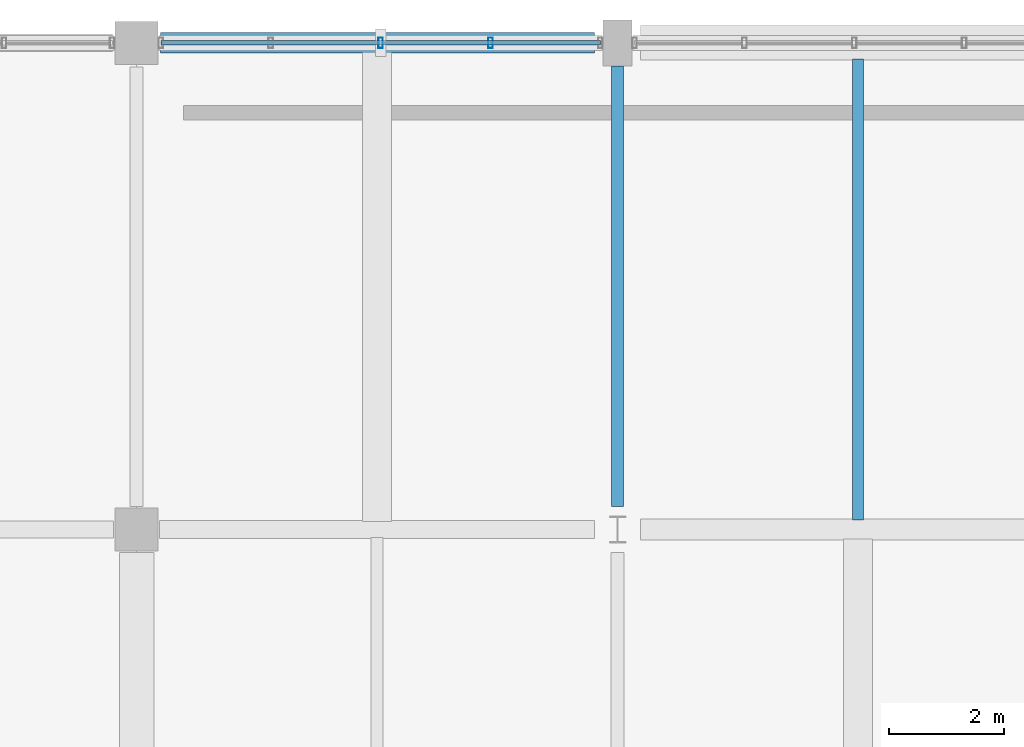
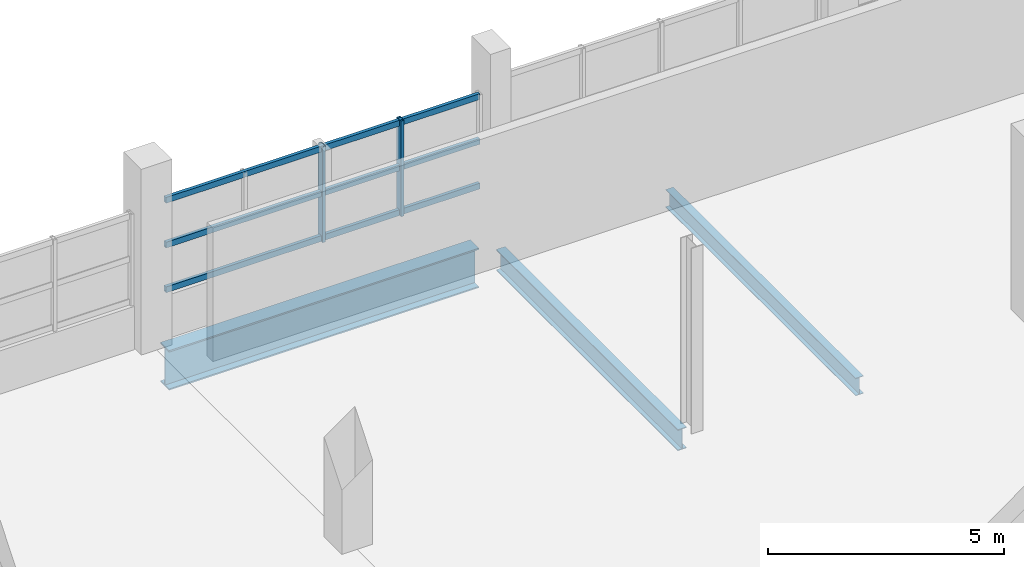
# One storey, part 77 of 117: 5 members, 3 beams, 1 element without a shape of its own.
"""IFC4 building model written with IfcOpenShell, lengths in metres."""

from ifc_helpers import new_model, si_unit, direction, frame, origin, origin_2d, place, context, subcontext, project, spatial, hollow_rectangle, i_section, extrude, material, material_profile, profile_set, type_object, element, aggregate, save


model = new_model("IFC4")

# Units and contexts
model_context = context("Model", 3, precision=1e-05, world=origin(), true_north=direction((0.0, 1.0)))
body_context = subcontext(model_context, "Body", "Model", "MODEL_VIEW")
ifc_project = project(units=[si_unit("LENGTHUNIT", "METRE"), si_unit("AREAUNIT", "SQUARE_METRE"), si_unit("VOLUMEUNIT", "CUBIC_METRE"), si_unit("PLANEANGLEUNIT", "RADIAN"), si_unit("MASSUNIT", "GRAM", prefix="KILO")], contexts=[model_context])

# Site, building, storey
site_placement = place(None, origin())
site = spatial("IfcSite", under=ifc_project, at=site_placement, CompositionType="ELEMENT")
building_placement = place(site_placement, origin())
building = spatial("IfcBuilding", under=site, at=building_placement, Name="Solvento Point Concert Hall", CompositionType="ELEMENT")
storey_placement = place(building_placement, frame((0.0, 0.0, 5.39990234375)))
storey = spatial("IfcBuildingStorey", under=building, at=storey_placement, Name="L01", CompositionType="ELEMENT", Elevation=5.39990234375)

# Beams
ifc_material_1 = material(Name="Structural Steel ASTM A992 Grade 50", Category="steel")
ifc_material_profile_1 = material_profile(ifc_material_1, i_section(OverallWidth=0.214111328125, OverallDepth=0.549072265625, WebThickness=0.0146484375, FlangeThickness=0.023681640625, at=origin_2d()), Name="W21X93")
ifc_profile_set_1 = profile_set([ifc_material_profile_1], Name="Structural Steel ASTM A992 Grade 50")
beam_type_1 = type_object("IfcBeamType", Name="Beam_W21X93", PredefinedType="BEAM", material=ifc_profile_set_1)
beam_1_placement = place(storey_placement, frame((32.39990234375, 127.904052734375, -0.558349609375), z_axis=(0.0, 1.0, 0.0), x_axis=(-1.0, 0.0, 0.0)))
element("IfcBeam", 1, at=beam_1_placement, inside=storey, type_object=beam_type_1, Name="Primary girder B-48 L01", PredefinedType="BEAM", context=body_context, shape_type="SweptSolid", body=[
    extrude(i_section(OverallWidth=0.214111328125, OverallDepth=0.549072265625, WebThickness=0.0146484375, FlangeThickness=0.023681640625, at=origin_2d()), origin(), (0.0, 0.0, 1.0), 7.69189453125),
])
ifc_material_2 = material(Name="Structural Steel ASTM A992 Grade 50", Category="steel")
ifc_material_profile_2 = material_profile(ifc_material_2, i_section(OverallWidth=0.361083984375, OverallDepth=1.02587890625, WebThickness=0.01904296875, FlangeThickness=0.0361328125, at=origin_2d()), Name="W40X249")
ifc_profile_set_2 = profile_set([ifc_material_profile_2], Name="Structural Steel ASTM A992 Grade 50")
beam_type_2 = type_object("IfcBeamType", Name="Girder_W40X249", PredefinedType="USERDEFINED", material=ifc_profile_set_2)
beam_2_placement = place(storey_placement, frame((24.4189453125, 136.0, -0.796875), z_axis=(1.0, 0.0, 0.0), x_axis=(0.0, 1.0, 0.0)))
element("IfcBeam", 2, at=beam_2_placement, inside=storey, type_object=beam_type_2, Name="Primary girder B-29 L01", ObjectType="GIRDER", PredefinedType="USERDEFINED", context=body_context, shape_type="SweptSolid", body=[
    extrude(i_section(OverallWidth=0.361083984375, OverallDepth=1.02587890625, WebThickness=0.01904296875, FlangeThickness=0.0361328125, at=origin_2d()), origin(), (0.0, 0.0, 1.0), 7.5771484375),
])
ifc_material_3 = material(Name="Structural Steel ASTM A992 Grade 50", Category="steel")
ifc_material_profile_3 = material_profile(ifc_material_3, i_section(OverallWidth=0.1904296875, OverallDepth=0.45703125, WebThickness=0.009033203125, FlangeThickness=0.014404296875, at=origin_2d()), Name="W18X50")
ifc_profile_set_3 = profile_set([ifc_material_profile_3], Name="Structural Steel ASTM A992 Grade 50")
beam_type_3 = type_object("IfcBeamType", Name="Joist_W18X50", PredefinedType="JOIST", material=ifc_profile_set_3)
beam_3_placement = place(storey_placement, frame((36.60009765625, 127.66552734375, -0.512451171875), z_axis=(0.0, 1.0, 0.0), x_axis=(-1.0, 0.0, 0.0)))
element("IfcBeam", 3, at=beam_3_placement, inside=storey, type_object=beam_type_3, Name="Secondary floor joist B-66 L01", PredefinedType="JOIST", context=body_context, shape_type="SweptSolid", body=[
    extrude(i_section(OverallWidth=0.1904296875, OverallDepth=0.45703125, WebThickness=0.009033203125, FlangeThickness=0.014404296875, at=origin_2d()), origin(), (0.0, 0.0, 1.0), 8.049560546875),
])

# Curtain wall, members
ifc_material_4 = material(Name="Anodized Bronze Aluminium", Category="aluminium")
curtain_wall_type = type_object("IfcCurtainWallType", Name="CurtainWall_CourtPilotis", PredefinedType="USERDEFINED", material=ifc_material_4)
curtain_wall_placement = place(storey_placement, origin())
curtain_wall = element("IfcCurtainWall", 4, at=curtain_wall_placement, inside=storey, type_object=curtain_wall_type, Name="Unitised curtain wall CW-96 UCW-L01-126", ObjectType="UNITISED CURTAIN WALL", PredefinedType="USERDEFINED")
ifc_material_5 = material(Name="Anodized Bronze Aluminium", Category="aluminium")
ifc_material_profile_4 = material_profile(ifc_material_5, hollow_rectangle(XDim=0.080078125, YDim=0.179931640625, WallThickness=0.00390625, at=origin_2d()), Name="CW-MUL-80X180")
ifc_profile_set_4 = profile_set([ifc_material_profile_4], Name="Anodized Bronze Aluminium")
member_type_1 = type_object("IfcMemberType", Name="Mullion_80x180", PredefinedType="MULLION", material=ifc_profile_set_4)
member_1_placement = place(storey_placement, frame((28.262451171875, 136.0, 1.1201171875), z_axis=(0.0, 0.0, 1.0), x_axis=(1.0, 0.0, 0.0)))
member_1 = element("IfcMember", 5, at=member_1_placement, type_object=member_type_1, Name="Curtain wall mullion ML-01", PredefinedType="MULLION", context=body_context, shape_type="SweptSolid", body=[
    extrude(hollow_rectangle(XDim=0.080078125, YDim=0.179931640625, WallThickness=0.00390625, at=origin_2d()), origin(), (0.0, 0.0, 1.0), 2.473876953125),
])
member_2_placement = place(storey_placement, frame((30.181396484375, 136.0, 1.1201171875), z_axis=(0.0, 0.0, 1.0), x_axis=(1.0, 0.0, 0.0)))
member_2 = element("IfcMember", 6, at=member_2_placement, type_object=member_type_1, Name="Curtain wall mullion ML-01", PredefinedType="MULLION", context=body_context, shape_type="SweptSolid", body=[
    extrude(hollow_rectangle(XDim=0.080078125, YDim=0.179931640625, WallThickness=0.00390625, at=origin_2d()), origin(), (0.0, 0.0, 1.0), 2.473876953125),
])
ifc_material_6 = material(Name="Anodized Bronze Aluminium", Category="aluminium")
ifc_material_profile_5 = material_profile(ifc_material_6, hollow_rectangle(XDim=0.080078125, YDim=0.14990234375, WallThickness=0.00390625, at=origin_2d()), Name="CW-TRN-80X150")
ifc_profile_set_5 = profile_set([ifc_material_profile_5], Name="Anodized Bronze Aluminium")
member_type_2 = type_object("IfcMemberType", Name="Transom_80x150", PredefinedType="USERDEFINED", material=ifc_profile_set_5)
member_3_placement = place(storey_placement, frame((24.425048828125, 136.0, 1.2001953125), z_axis=(1.0, 0.0, 0.0), x_axis=(0.0, 1.0, 0.0)))
member_3 = element("IfcMember", 7, at=member_3_placement, type_object=member_type_2, Name="Curtain wall transom TR-01", ObjectType="TRANSOM", PredefinedType="USERDEFINED", context=body_context, shape_type="SweptSolid", body=[
    extrude(hollow_rectangle(XDim=0.080078125, YDim=0.14990234375, WallThickness=0.00390625, at=origin_2d()), origin(), (0.0, 0.0, 1.0), 7.675048828125),
])
member_4_placement = place(storey_placement, frame((24.425048828125, 136.0, 2.357177734375), z_axis=(1.0, 0.0, 0.0), x_axis=(0.0, 1.0, 0.0)))
member_4 = element("IfcMember", 8, at=member_4_placement, type_object=member_type_2, Name="Curtain wall transom TR-01", ObjectType="TRANSOM", PredefinedType="USERDEFINED", context=body_context, shape_type="SweptSolid", body=[
    extrude(hollow_rectangle(XDim=0.080078125, YDim=0.14990234375, WallThickness=0.00390625, at=origin_2d()), origin(), (0.0, 0.0, 1.0), 7.675048828125),
])
member_5_placement = place(storey_placement, frame((24.425048828125, 136.0, 3.51416015625), z_axis=(1.0, 0.0, 0.0), x_axis=(0.0, 1.0, 0.0)))
member_5 = element("IfcMember", 9, at=member_5_placement, type_object=member_type_2, Name="Curtain wall transom TR-01", ObjectType="TRANSOM", PredefinedType="USERDEFINED", context=body_context, shape_type="SweptSolid", body=[
    extrude(hollow_rectangle(XDim=0.080078125, YDim=0.14990234375, WallThickness=0.00390625, at=origin_2d()), origin(), (0.0, 0.0, 1.0), 7.675048828125),
])
aggregate(curtain_wall, [member_1, member_2, member_3, member_4, member_5])

save(model, "model.ifc")
